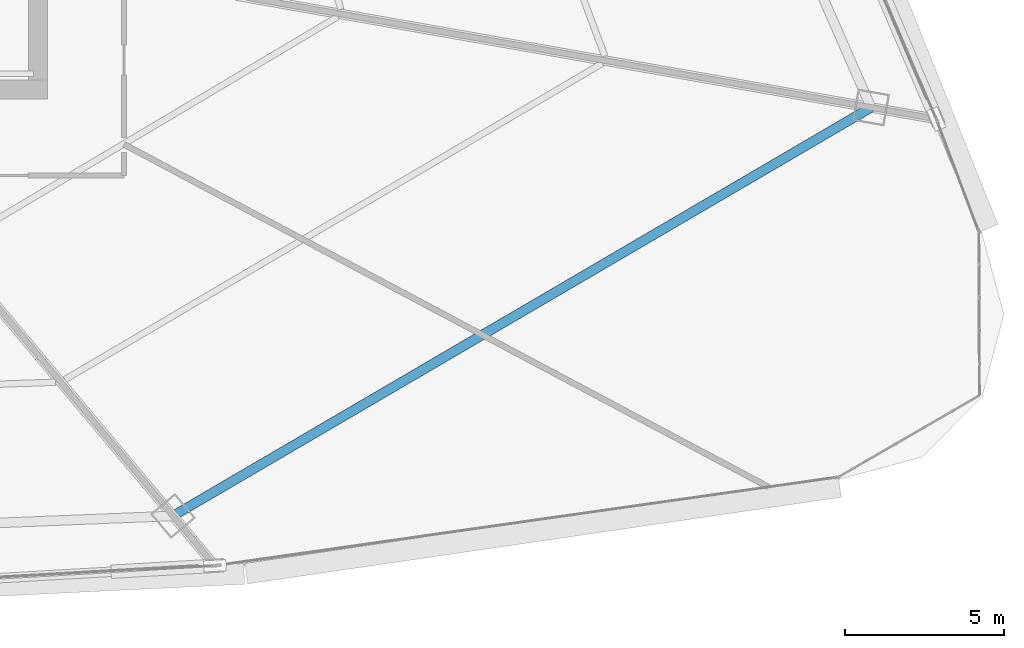
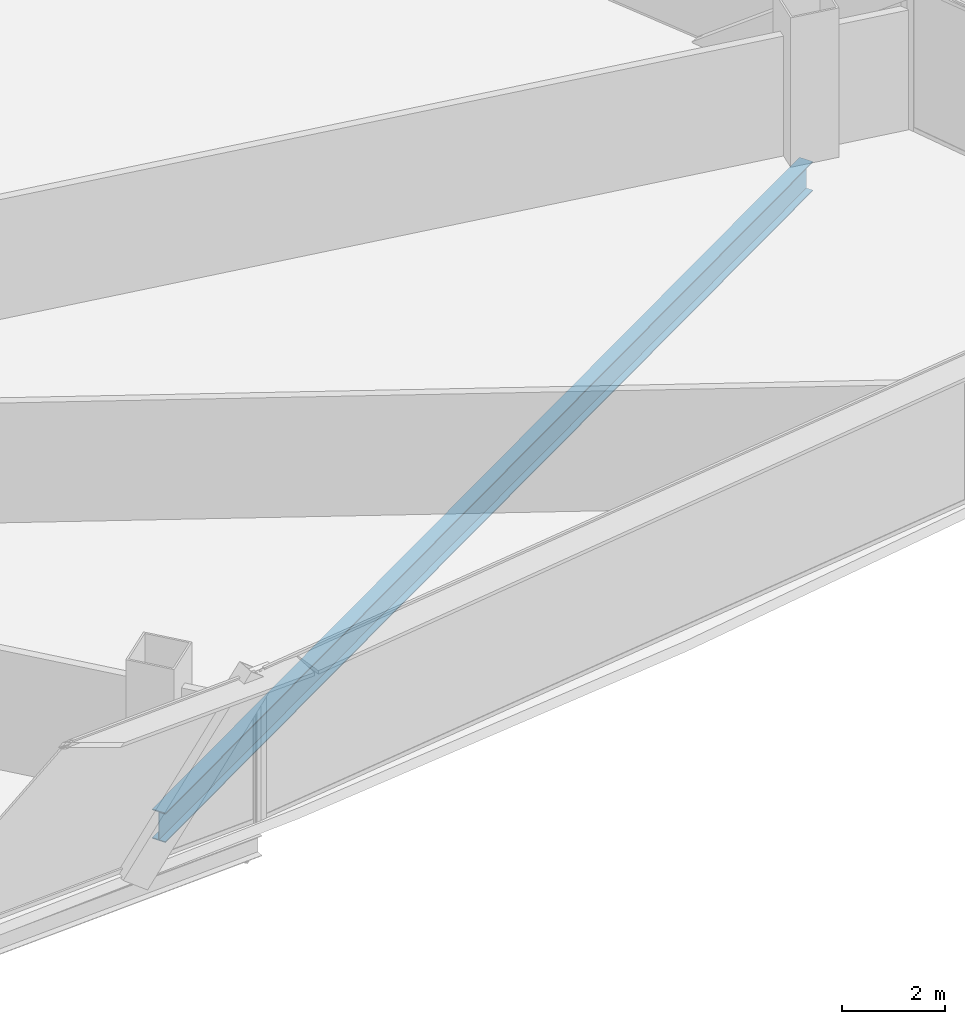
# One storey, part 21 of 39: 1 beam.
"""IFC4 building model written with IfcOpenShell, lengths in metres."""

from ifc_helpers import new_model, si_unit, direction, frame, origin, origin_2d, place, context, subcontext, project, spatial, i_section, extrude, source, transform, mapped, material, material_profile, profile_set, type_object, element, save


model = new_model("IFC4")

# Units and contexts
model_context = context("Model", 3, precision=1e-05, world=origin(), true_north=direction((0.0, 1.0)))
body_context = subcontext(model_context, "Body", "Model", "MODEL_VIEW")
ifc_project = project(units=[si_unit("LENGTHUNIT", "METRE"), si_unit("AREAUNIT", "SQUARE_METRE"), si_unit("VOLUMEUNIT", "CUBIC_METRE"), si_unit("PLANEANGLEUNIT", "RADIAN"), si_unit("MASSUNIT", "GRAM", prefix="KILO"), si_unit("THERMODYNAMICTEMPERATUREUNIT", "KELVIN"), si_unit("POWERUNIT", "WATT")], contexts=[model_context])

# Site, building, storey
site_placement = place(None, origin())
site = spatial("IfcSite", under=ifc_project, at=site_placement, CompositionType="ELEMENT")
building_placement = place(site_placement, origin())
building = spatial("IfcBuilding", under=site, at=building_placement, Name="Yunzhuo Pagoda Commons", CompositionType="ELEMENT")
storey_placement = place(building_placement, frame((0.0, 0.0, 92.580078125)))
storey = spatial("IfcBuildingStorey", under=building, at=storey_placement, Name="L23", CompositionType="ELEMENT", Elevation=92.580078125)

# Beam
ifc_material = material(Name="Structural steel Q355B", Category="steel")
ifc_material_profile = material_profile(ifc_material, i_section(OverallWidth=0.300048828125, OverallDepth=0.699951171875, WebThickness=0.012939453125, FlangeThickness=0.02392578125, at=origin_2d()), Name="Structural steel Q355B")
ifc_profile_set = profile_set([ifc_material_profile], Name="Structural steel Q355B")
beam_type = type_object("IfcBeamType", Name="B-RG1 Beam HN 700x300x13x24", PredefinedType="BEAM", material=ifc_profile_set)
shared_shape = source(origin(), body_context, "Body", "SweptSolid", [
    extrude(i_section(OverallWidth=0.300048828125, OverallDepth=0.699951171875, WebThickness=0.012939453125, FlangeThickness=0.02392578125, at=origin_2d()), origin(), (0.0, 0.0, 1.0), 25.3935546875),
])
beam_placement = place(storey_placement, frame((64.43603515625, 14.1123046875, -0.610107421875), z_axis=(0.863085207128, 0.505058338449, 0.0), x_axis=(-0.505058338449, 0.863085207128, 0.0)))
element("IfcBeam", 1, at=beam_placement, inside=storey, type_object=beam_type, Name="L23 column-ring beam 4", PredefinedType="BEAM", context=body_context, shape_type="MappedRepresentation", body=[
    mapped(shared_shape, transform((0.0, 0.0, 0.0), scale=1.0)),
])

save(model, "model.ifc")
